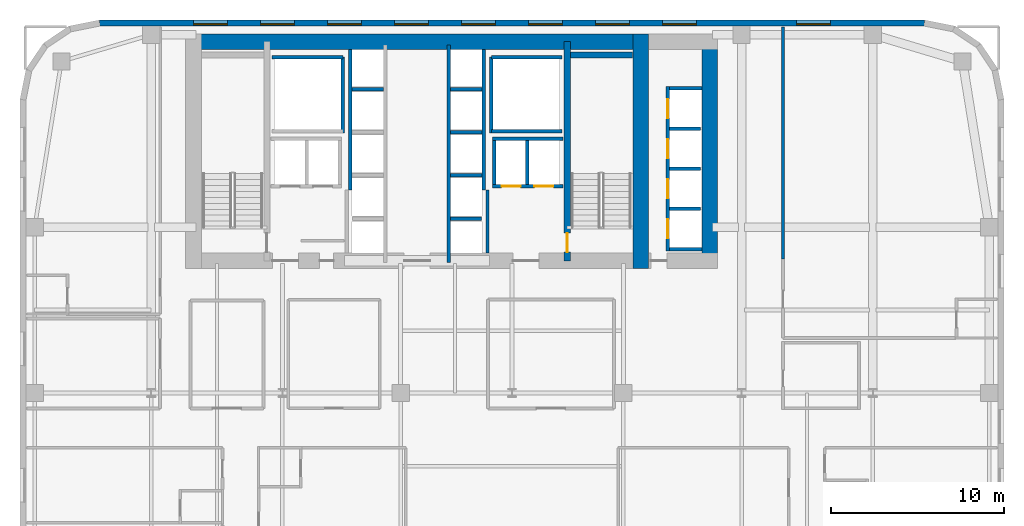
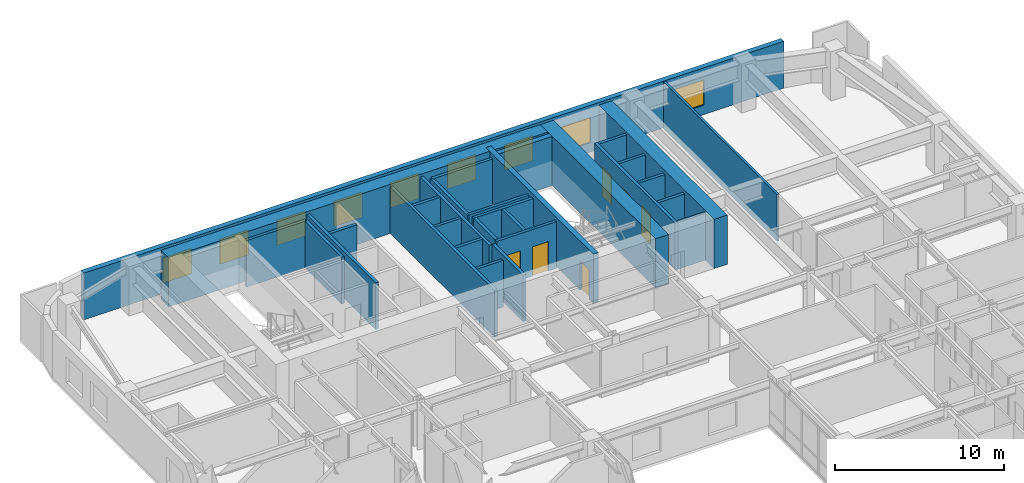
# One storey, part 15 of 17: 31 walls, 9 windows, 7 doors, 16 openings.
"""IFC4 building model written with IfcOpenShell, lengths in metres."""

from ifc_helpers import new_model, si_unit, direction, frame, frame_2d, origin, place, context, subcontext, project, spatial, rectangle, extrude, source, transform, mapped, material, layer, layer_set, type_object, type_shapes, element, fill, save


model = new_model("IFC4")

# Units and contexts
model_context = context("Model", 3, precision=1e-05, world=origin(), true_north=direction((0.0, 1.0)))
body_context = subcontext(model_context, "Body", "Model", "MODEL_VIEW")
ifc_project = project(units=[si_unit("LENGTHUNIT", "METRE"), si_unit("AREAUNIT", "SQUARE_METRE"), si_unit("VOLUMEUNIT", "CUBIC_METRE"), si_unit("PLANEANGLEUNIT", "RADIAN"), si_unit("MASSUNIT", "GRAM", prefix="KILO")], contexts=[model_context])

# Site, building, storey
site_placement = place(None, origin())
site = spatial("IfcSite", under=ifc_project, at=site_placement, CompositionType="ELEMENT")
building_placement = place(site_placement, origin())
building = spatial("IfcBuilding", under=site, at=building_placement, Name="Tolvann Quenvar Hotel", CompositionType="ELEMENT")
storey_placement = place(building_placement, frame((0.0, 0.0, 35.550048828125)))
storey = spatial("IfcBuildingStorey", under=building, at=storey_placement, Name="L07", CompositionType="ELEMENT", Elevation=35.550048828125)

# Walls
ifc_material_1 = material(Name="Concrete S80 (80 MPa)", Category="concrete")
ifc_layer_1 = layer(ifc_material_1, 0.89990234375)
ifc_layer_set_1 = layer_set([ifc_layer_1], Name="Concrete S80 (80 MPa)")
wall_type_1 = type_object("IfcWallType", Name="WALL_CORE_900", PredefinedType="SHEAR", material=ifc_layer_set_1)
wall_1_placement = place(storey_placement, frame((9.60009765625, 44.75, 0.0), z_axis=(0.0, 0.0, 1.0), x_axis=(1.0, 0.0, 0.0)))
element("IfcWall", 1, at=wall_1_placement, inside=storey, type_object=wall_type_1, Name="Rear Core N Shear Wall (L07)", PredefinedType="SHEAR", context=body_context, shape_type="SweptSolid", body=[
    extrude(rectangle(XDim=26.7998046875, YDim=0.89990234375, at=frame_2d((13.39990234375, 0.0))), origin(), (0.0, 0.0, 1.0), 3.550048828125),
])
for number, where, z_axis, x_axis, name in (
    (2, (35.949951171875, 31.60009765625, 0.0), (0.0, 0.0, 1.0), (0.0, 1.0, 0.0), "Rear Core E Shear Wall (L07)"),
    (3, (39.949951171875, 31.60009765625, 0.0), (0.0, 0.0, 1.0), (0.0, 1.0, 0.0), "Core East Annex Shear Wall ANN-E (L07)"),
):
    element("IfcWall", number, at=place(storey_placement, frame(where, z_axis=z_axis, x_axis=x_axis)), inside=storey, type_object=wall_type_1, Name=name, PredefinedType="SHEAR", context=body_context, shape_type="SweptSolid", body=[
        extrude(rectangle(XDim=13.599853515625, YDim=0.89990234375, at=frame_2d((6.7998046875, 0.0))), origin(), (0.0, 0.0, 1.0), 3.550048828125),
    ])

# Wall, opening, door
ifc_material_2 = material(Name="Concrete S65 (65 MPa)", Category="concrete")
ifc_layer_2 = layer(ifc_material_2, 0.35009765625)
ifc_layer_set_2 = layer_set([ifc_layer_2], Name="Concrete S65 (65 MPa)")
wall_type_2 = type_object("IfcWallType", Name="WALL_CORE_INT_350", PredefinedType="SHEAR", material=ifc_layer_set_2)
wall_2_placement = place(storey_placement, frame((31.699951171875, 32.050048828125, 0.0), z_axis=(0.0, 0.0, 1.0), x_axis=(0.0, 1.0, 0.0)))
wall_2 = element("IfcWall", 4, at=wall_2_placement, inside=storey, type_object=wall_type_2, Name="Core Internal Web Shear Wall WEB-E (L07)", PredefinedType="SHEAR", context=body_context, shape_type="SweptSolid", body=[
    extrude(rectangle(XDim=12.699951171875, YDim=0.35009765625, at=frame_2d((6.35009765625, 0.0))), origin(), (0.0, 0.0, 1.0), 3.550048828125),
])
opening_1_placement = place(wall_2_placement, frame((1.60009765625, 0.0, 0.0), z_axis=(0.0, 0.0, 1.0), x_axis=(-1.0, 0.0, 0.0)))
opening_1 = element("IfcOpeningElement", 5, at=opening_1_placement, cuts=wall_2, Name="Opening FD-120", PredefinedType="OPENING", context=body_context, shape_type="SweptSolid", body=[
    extrude(rectangle(XDim=1.10009765625, YDim=2.1201171875, at=frame_2d((0.550048828125, 1.06005859375))), frame((0.0, 0.18505859375, 0.0), z_axis=(0.0, -1.0, 0.0), x_axis=(1.0, 0.0, 0.0)), (0.0, 0.0, 1.0), 0.3701171875),
])
ifc_material_3 = material(Name="Pressed galvanised steel fire-rated door set", Category="steel")
door_type_1 = type_object("IfcDoorType", Name="DOOR_FIRE_STAIR_1100", OperationType="NOTDEFINED", PredefinedType="DOOR", material=ifc_material_3)
shared_shape_1 = source(origin(), body_context, "Body", "SweptSolid", [
    extrude(rectangle(XDim=1.10009765625, YDim=2.1201171875, at=frame_2d((0.550048828125, 1.06005859375))), frame((0.0, 0.02490234375, 0.0), z_axis=(0.0, -1.0, 0.0), x_axis=(1.0, 0.0, 0.0)), (0.0, 0.0, 1.0), 0.050048828125),
])
type_shapes(door_type_1, [shared_shape_1])
door_1_placement = place(opening_1_placement, origin())
door_1 = element("IfcDoor", 6, at=door_1_placement, inside=storey, type_object=door_type_1, Name="Exit Stair ST-C2 Fire Door (L07)", OperationType="SINGLE_SWING_RIGHT", OverallHeight=2.1201171875, OverallWidth=1.10009765625, PredefinedType="DOOR", context=body_context, shape_type="MappedRepresentation", body=[
    mapped(shared_shape_1, transform((0.0, 0.0, 0.0), x_axis=(1.0, 0.0, 0.0), y_axis=(0.0, 1.0, 0.0), z_axis=(0.0, 0.0, 1.0), scale=1.0)),
])
fill(opening_1, door_1)

# Wall
wall_3_placement = place(storey_placement, frame((31.8798828125, 43.97509765625, 0.0), z_axis=(0.0, 0.0, 1.0), x_axis=(1.0, 0.0, 0.0)))
element("IfcWall", 7, at=wall_3_placement, inside=storey, type_object=wall_type_2, Name="Core Stair North Closing Shear Wall STC2-N (L07)", PredefinedType="SHEAR", context=body_context, shape_type="SweptSolid", body=[
    extrude(rectangle(XDim=3.60009765625, YDim=0.35009765625, at=frame_2d((1.800048828125, 0.0))), origin(), (0.0, 0.0, 1.0), 3.550048828125),
])

# Wall, openings, windows
ifc_material_4 = material(Name="Kiln-fired red and buff architectural clay brickwork and terracotta masonry", Category="masonry")
ifc_layer_3 = layer(ifc_material_4, 0.35009765625)
ifc_layer_set_3 = layer_set([ifc_layer_3], Name="Kiln-fired red and buff architectural clay brickwork and terracotta masonry")
wall_type_3 = type_object("IfcWallType", Name="WALL_EXT_BRICK_350", PredefinedType="SOLIDWALL", material=ifc_layer_set_3)
wall_4_placement = place(storey_placement, frame((52.3828125, 45.824951171875, 0.0), z_axis=(0.0, 0.0, 1.0), x_axis=(-1.0, 0.0, 0.0)))
wall_4 = element("IfcWall", 8, at=wall_4_placement, inside=storey, type_object=wall_type_3, Name="Exterior Chicago Brick Wall L07-E18", PredefinedType="SOLIDWALL", context=body_context, shape_type="SweptSolid", body=[
    extrude(rectangle(XDim=47.765625, YDim=0.35009765625, at=frame_2d((23.8828125, 0.0))), origin(), (0.0, 0.0, 1.0), 3.369873046875),
])
opening_2_placement = place(wall_4_placement, frame((5.446044921875, 0.0, 0.679931640625)))
opening_2 = element("IfcOpeningElement", 9, at=opening_2_placement, cuts=wall_4, Name="Opening W-10", PredefinedType="OPENING", context=body_context, shape_type="SweptSolid", body=[
    extrude(rectangle(XDim=1.949951171875, YDim=1.820068359375, at=frame_2d((0.97509765625, 0.91015625))), frame((0.0, 0.18505859375, 0.0), z_axis=(0.0, -1.0, 0.0), x_axis=(1.0, 0.0, 0.0)), (0.0, 0.0, 1.0), 0.3701171875),
])
opening_3_placement = place(wall_4_placement, frame((13.20703125, 0.0, 0.679931640625)))
opening_3 = element("IfcOpeningElement", 10, at=opening_3_placement, cuts=wall_4, Name="Opening W-10", PredefinedType="OPENING", context=body_context, shape_type="SweptSolid", body=[
    extrude(rectangle(XDim=1.949951171875, YDim=1.820068359375, at=frame_2d((0.97509765625, 0.91015625))), frame((0.0, 0.18505859375, 0.0), z_axis=(0.0, -1.0, 0.0), x_axis=(1.0, 0.0, 0.0)), (0.0, 0.0, 1.0), 0.3701171875),
])
opening_4_placement = place(wall_4_placement, frame((17.0869140625, 0.0, 0.679931640625)))
opening_4 = element("IfcOpeningElement", 11, at=opening_4_placement, cuts=wall_4, Name="Opening W-10", PredefinedType="OPENING", context=body_context, shape_type="SweptSolid", body=[
    extrude(rectangle(XDim=1.949951171875, YDim=1.820068359375, at=frame_2d((0.97509765625, 0.91015625))), frame((0.0, 0.18505859375, 0.0), z_axis=(0.0, -1.0, 0.0), x_axis=(1.0, 0.0, 0.0)), (0.0, 0.0, 1.0), 0.3701171875),
])
opening_5_placement = place(wall_4_placement, frame((20.968017578125, 0.0, 0.679931640625)))
opening_5 = element("IfcOpeningElement", 12, at=opening_5_placement, cuts=wall_4, Name="Opening W-10", PredefinedType="OPENING", context=body_context, shape_type="SweptSolid", body=[
    extrude(rectangle(XDim=1.949951171875, YDim=1.820068359375, at=frame_2d((0.97509765625, 0.91015625))), frame((0.0, 0.18505859375, 0.0), z_axis=(0.0, -1.0, 0.0), x_axis=(1.0, 0.0, 0.0)), (0.0, 0.0, 1.0), 0.3701171875),
])
opening_6_placement = place(wall_4_placement, frame((24.847900390625, 0.0, 0.679931640625)))
opening_6 = element("IfcOpeningElement", 13, at=opening_6_placement, cuts=wall_4, Name="Opening W-10", PredefinedType="OPENING", context=body_context, shape_type="SweptSolid", body=[
    extrude(rectangle(XDim=1.949951171875, YDim=1.820068359375, at=frame_2d((0.97509765625, 0.91015625))), frame((0.0, 0.18505859375, 0.0), z_axis=(0.0, -1.0, 0.0), x_axis=(1.0, 0.0, 0.0)), (0.0, 0.0, 1.0), 0.3701171875),
])
opening_7_placement = place(wall_4_placement, frame((28.72900390625, 0.0, 0.679931640625)))
opening_7 = element("IfcOpeningElement", 14, at=opening_7_placement, cuts=wall_4, Name="Opening W-10", PredefinedType="OPENING", context=body_context, shape_type="SweptSolid", body=[
    extrude(rectangle(XDim=1.949951171875, YDim=1.820068359375, at=frame_2d((0.97509765625, 0.91015625))), frame((0.0, 0.18505859375, 0.0), z_axis=(0.0, -1.0, 0.0), x_axis=(1.0, 0.0, 0.0)), (0.0, 0.0, 1.0), 0.3701171875),
])
opening_8_placement = place(wall_4_placement, frame((32.60888671875, 0.0, 0.679931640625)))
opening_8 = element("IfcOpeningElement", 15, at=opening_8_placement, cuts=wall_4, Name="Opening W-10", PredefinedType="OPENING", context=body_context, shape_type="SweptSolid", body=[
    extrude(rectangle(XDim=1.949951171875, YDim=1.820068359375, at=frame_2d((0.97509765625, 0.91015625))), frame((0.0, 0.18505859375, 0.0), z_axis=(0.0, -1.0, 0.0), x_axis=(1.0, 0.0, 0.0)), (0.0, 0.0, 1.0), 0.3701171875),
])
opening_9_placement = place(wall_4_placement, frame((36.489013671875, 0.0, 0.679931640625)))
opening_9 = element("IfcOpeningElement", 16, at=opening_9_placement, cuts=wall_4, Name="Opening W-10", PredefinedType="OPENING", context=body_context, shape_type="SweptSolid", body=[
    extrude(rectangle(XDim=1.949951171875, YDim=1.820068359375, at=frame_2d((0.97509765625, 0.91015625))), frame((0.0, 0.18505859375, 0.0), z_axis=(0.0, -1.0, 0.0), x_axis=(1.0, 0.0, 0.0)), (0.0, 0.0, 1.0), 0.3701171875),
])
opening_10_placement = place(wall_4_placement, frame((40.3701171875, 0.0, 0.679931640625)))
opening_10 = element("IfcOpeningElement", 17, at=opening_10_placement, cuts=wall_4, Name="Opening W-10", PredefinedType="OPENING", context=body_context, shape_type="SweptSolid", body=[
    extrude(rectangle(XDim=1.949951171875, YDim=1.820068359375, at=frame_2d((0.97509765625, 0.91015625))), frame((0.0, 0.18505859375, 0.0), z_axis=(0.0, -1.0, 0.0), x_axis=(1.0, 0.0, 0.0)), (0.0, 0.0, 1.0), 0.3701171875),
])
ifc_material_5 = material(Name="Thermally broken bronze-anodised aluminium frame with double low-E glazing", Category="aluminium")
window_type = type_object("IfcWindowType", Name="WIN_CLB_1950x1850", PartitioningType="DOUBLE_PANEL_VERTICAL", PredefinedType="WINDOW", material=ifc_material_5)
shared_shape_2 = source(origin(), body_context, "Body", "SweptSolid", [
    extrude(rectangle(XDim=1.949951171875, YDim=1.820068359375, at=frame_2d((0.97509765625, 0.91015625))), frame((0.0, 0.090087890625, 0.0), z_axis=(0.0, -1.0, 0.0), x_axis=(1.0, 0.0, 0.0)), (0.0, 0.0, 1.0), 0.06005859375),
])
type_shapes(window_type, [shared_shape_2])
window_1_placement = place(opening_2_placement, origin())
window_1 = element("IfcWindow", 18, at=window_1_placement, inside=storey, type_object=window_type, Name="Chicago Window W-10 (EW-L07-E18-W01)", OverallHeight=1.820068359375, OverallWidth=1.949951171875, PartitioningType="DOUBLE_PANEL_VERTICAL", PredefinedType="WINDOW", context=body_context, shape_type="MappedRepresentation", body=[
    mapped(shared_shape_2, transform((0.0, 0.0, 0.0), x_axis=(1.0, 0.0, 0.0), y_axis=(0.0, 1.0, 0.0), z_axis=(0.0, 0.0, 1.0), scale=1.0)),
])
fill(opening_2, window_1)
window_2_placement = place(opening_3_placement, origin())
window_2 = element("IfcWindow", 19, at=window_2_placement, inside=storey, type_object=window_type, Name="Chicago Window W-10 (EW-L07-E18-W02)", OverallHeight=1.820068359375, OverallWidth=1.949951171875, PartitioningType="DOUBLE_PANEL_VERTICAL", PredefinedType="WINDOW", context=body_context, shape_type="MappedRepresentation", body=[
    mapped(shared_shape_2, transform((0.0, 0.0, 0.0), x_axis=(1.0, 0.0, 0.0), y_axis=(0.0, 1.0, 0.0), z_axis=(0.0, 0.0, 1.0), scale=1.0)),
])
fill(opening_3, window_2)
window_3_placement = place(opening_4_placement, origin())
window_3 = element("IfcWindow", 20, at=window_3_placement, inside=storey, type_object=window_type, Name="Chicago Window W-10 (EW-L07-E18-W03)", OverallHeight=1.820068359375, OverallWidth=1.949951171875, PartitioningType="DOUBLE_PANEL_VERTICAL", PredefinedType="WINDOW", context=body_context, shape_type="MappedRepresentation", body=[
    mapped(shared_shape_2, transform((0.0, 0.0, 0.0), x_axis=(1.0, 0.0, 0.0), y_axis=(0.0, 1.0, 0.0), z_axis=(0.0, 0.0, 1.0), scale=1.0)),
])
fill(opening_4, window_3)
window_4_placement = place(opening_5_placement, origin())
window_4 = element("IfcWindow", 21, at=window_4_placement, inside=storey, type_object=window_type, Name="Chicago Window W-10 (EW-L07-E18-W04)", OverallHeight=1.820068359375, OverallWidth=1.949951171875, PartitioningType="DOUBLE_PANEL_VERTICAL", PredefinedType="WINDOW", context=body_context, shape_type="MappedRepresentation", body=[
    mapped(shared_shape_2, transform((0.0, 0.0, 0.0), x_axis=(1.0, 0.0, 0.0), y_axis=(0.0, 1.0, 0.0), z_axis=(0.0, 0.0, 1.0), scale=1.0)),
])
fill(opening_5, window_4)
window_5_placement = place(opening_6_placement, origin())
window_5 = element("IfcWindow", 22, at=window_5_placement, inside=storey, type_object=window_type, Name="Chicago Window W-10 (EW-L07-E18-W05)", OverallHeight=1.820068359375, OverallWidth=1.949951171875, PartitioningType="DOUBLE_PANEL_VERTICAL", PredefinedType="WINDOW", context=body_context, shape_type="MappedRepresentation", body=[
    mapped(shared_shape_2, transform((0.0, 0.0, 0.0), x_axis=(1.0, 0.0, 0.0), y_axis=(0.0, 1.0, 0.0), z_axis=(0.0, 0.0, 1.0), scale=1.0)),
])
fill(opening_6, window_5)
window_6_placement = place(opening_7_placement, origin())
window_6 = element("IfcWindow", 23, at=window_6_placement, inside=storey, type_object=window_type, Name="Chicago Window W-10 (EW-L07-E18-W06)", OverallHeight=1.820068359375, OverallWidth=1.949951171875, PartitioningType="DOUBLE_PANEL_VERTICAL", PredefinedType="WINDOW", context=body_context, shape_type="MappedRepresentation", body=[
    mapped(shared_shape_2, transform((0.0, 0.0, 0.0), x_axis=(1.0, 0.0, 0.0), y_axis=(0.0, 1.0, 0.0), z_axis=(0.0, 0.0, 1.0), scale=1.0)),
])
fill(opening_7, window_6)
window_7_placement = place(opening_8_placement, origin())
window_7 = element("IfcWindow", 24, at=window_7_placement, inside=storey, type_object=window_type, Name="Chicago Window W-10 (EW-L07-E18-W07)", OverallHeight=1.820068359375, OverallWidth=1.949951171875, PartitioningType="DOUBLE_PANEL_VERTICAL", PredefinedType="WINDOW", context=body_context, shape_type="MappedRepresentation", body=[
    mapped(shared_shape_2, transform((0.0, 0.0, 0.0), x_axis=(1.0, 0.0, 0.0), y_axis=(0.0, 1.0, 0.0), z_axis=(0.0, 0.0, 1.0), scale=1.0)),
])
fill(opening_8, window_7)
window_8_placement = place(opening_9_placement, origin())
window_8 = element("IfcWindow", 25, at=window_8_placement, inside=storey, type_object=window_type, Name="Chicago Window W-10 (EW-L07-E18-W08)", OverallHeight=1.820068359375, OverallWidth=1.949951171875, PartitioningType="DOUBLE_PANEL_VERTICAL", PredefinedType="WINDOW", context=body_context, shape_type="MappedRepresentation", body=[
    mapped(shared_shape_2, transform((0.0, 0.0, 0.0), x_axis=(1.0, 0.0, 0.0), y_axis=(0.0, 1.0, 0.0), z_axis=(0.0, 0.0, 1.0), scale=1.0)),
])
fill(opening_9, window_8)
window_9_placement = place(opening_10_placement, origin())
window_9 = element("IfcWindow", 26, at=window_9_placement, inside=storey, type_object=window_type, Name="Chicago Window W-10 (EW-L07-E18-W09)", OverallHeight=1.820068359375, OverallWidth=1.949951171875, PartitioningType="DOUBLE_PANEL_VERTICAL", PredefinedType="WINDOW", context=body_context, shape_type="MappedRepresentation", body=[
    mapped(shared_shape_2, transform((0.0, 0.0, 0.0), x_axis=(1.0, 0.0, 0.0), y_axis=(0.0, 1.0, 0.0), z_axis=(0.0, 0.0, 1.0), scale=1.0)),
])
fill(opening_10, window_9)

# Walls
ifc_material_6 = material(Name="Acoustic twin-stud fire-rated gypsum plasterboard partition")
ifc_layer_4 = layer(ifc_material_6, 0.14990234375)
ifc_layer_set_4 = layer_set([ifc_layer_4], Name="Acoustic twin-stud fire-rated gypsum plasterboard partition")
wall_type_4 = type_object("IfcWallType", Name="WALL_PART_SUITE_150", PredefinedType="PARTITIONING", material=ifc_layer_set_4)
wall_5_placement = place(storey_placement, frame((44.199951171875, 32.169921875, 0.0), z_axis=(0.0, 0.0, 1.0), x_axis=(0.0, 1.0, 0.0)))
element("IfcWall", 27, at=wall_5_placement, inside=storey, type_object=wall_type_4, Name="Interior Partition PT-SPC-L07-RM-NE01-E6", PredefinedType="PARTITIONING", context=body_context, shape_type="SweptSolid", body=[
    extrude(rectangle(XDim=13.425048828125, YDim=0.14990234375, at=frame_2d((6.71240234375, 0.0))), origin(), (0.0, 0.0, 1.0), 3.369873046875),
])
ifc_material_7 = material(Name="Concrete N40 (40 MPa)", Category="concrete")
ifc_layer_5 = layer(ifc_material_7, 0.199951171875)
ifc_layer_set_5 = layer_set([ifc_layer_5], Name="Concrete N40 (40 MPa)")
wall_type_5 = type_object("IfcWallType", Name="WALL_SHAFT_200", PredefinedType="SOLIDWALL", material=ifc_layer_set_5)
wall_6_placement = place(storey_placement, frame((18.699951171875, 39.449951171875, 0.0), z_axis=(0.0, 0.0, 1.0), x_axis=(0.0, 1.0, 0.0)))
element("IfcWall", 28, at=wall_6_placement, inside=storey, type_object=wall_type_5, Name="Service Riser W Shaft Wall IN (L07)", PredefinedType="SOLIDWALL", context=body_context, shape_type="SweptSolid", body=[
    extrude(rectangle(XDim=4.400146484375, YDim=0.199951171875, at=frame_2d((2.2001953125, 0.0))), origin(), (0.0, 0.0, 1.0), 3.369873046875),
])
wall_7_placement = place(storey_placement, frame((14.60009765625, 43.85009765625, 0.0), z_axis=(0.0, 0.0, 1.0), x_axis=(1.0, 0.0, 0.0)))
element("IfcWall", 29, at=wall_7_placement, inside=storey, type_object=wall_type_5, Name="Service Riser W Shaft Wall N (L07)", PredefinedType="SOLIDWALL", context=body_context, shape_type="SweptSolid", body=[
    extrude(rectangle(XDim=4.099853515625, YDim=0.199951171875, at=frame_2d((2.0498046875, 0.0))), origin(), (0.0, 0.0, 1.0), 3.369873046875),
])
wall_8_placement = place(storey_placement, frame((27.300048828125, 39.449951171875, 0.0), z_axis=(0.0, 0.0, 1.0), x_axis=(0.0, 1.0, 0.0)))
element("IfcWall", 30, at=wall_8_placement, inside=storey, type_object=wall_type_5, Name="Service Riser E Shaft Wall IN (L07)", PredefinedType="SOLIDWALL", context=body_context, shape_type="SweptSolid", body=[
    extrude(rectangle(XDim=4.400146484375, YDim=0.199951171875, at=frame_2d((2.2001953125, 0.0))), origin(), (0.0, 0.0, 1.0), 3.369873046875),
])
for number, where, z_axis, x_axis, name in (
    (31, (27.300048828125, 39.550048828125, 0.0), (0.0, 0.0, 1.0), (1.0, 0.0, 0.0), "Service Riser E Shaft Wall S (L07)"),
    (32, (27.300048828125, 43.85009765625, 0.0), (0.0, 0.0, 1.0), (1.0, 0.0, 0.0), "Service Riser E Shaft Wall N (L07)"),
):
    element("IfcWall", number, at=place(storey_placement, frame(where, z_axis=z_axis, x_axis=x_axis)), inside=storey, type_object=wall_type_5, Name=name, PredefinedType="SOLIDWALL", context=body_context, shape_type="SweptSolid", body=[
        extrude(rectangle(XDim=4.099853515625, YDim=0.199951171875, at=frame_2d((2.0498046875, 0.0))), origin(), (0.0, 0.0, 1.0), 3.369873046875),
    ])
wall_9_placement = place(storey_placement, frame((27.080078125, 32.50390625, 0.0), z_axis=(0.0, 0.0, 1.0), x_axis=(0.0, 1.0, 0.0)))
element("IfcWall", 33, at=wall_9_placement, inside=storey, type_object=wall_type_5, Name="Firefighting Lobby E Inner Fire Wall (L07)", PredefinedType="SOLIDWALL", context=body_context, shape_type="SweptSolid", body=[
    extrude(rectangle(XDim=3.64599609375, YDim=0.199951171875, at=frame_2d((1.822998046875, 0.0))), origin(), (0.0, 0.0, 1.0), 3.369873046875),
])
wall_10_placement = place(storey_placement, frame((19.1298828125, 36.159912109375, 0.0), z_axis=(0.0, 0.0, 1.0), x_axis=(0.0, 1.0, 0.0)))
element("IfcWall", 34, at=wall_10_placement, inside=storey, type_object=wall_type_5, Name="Lift Bank E21.1C1 Hoistway Rear Wall (L07)", PredefinedType="SOLIDWALL", context=body_context, shape_type="SweptSolid", body=[
    extrude(rectangle(XDim=8.135986328125, YDim=0.199951171875, at=frame_2d((4.06787109375, 0.0))), origin(), (0.0, 0.0, 1.0), 3.369873046875),
])
wall_11_placement = place(storey_placement, frame((19.22998046875, 42.0, 0.0), z_axis=(0.0, 0.0, 1.0), x_axis=(1.0, 0.0, 0.0)))
element("IfcWall", 35, at=wall_11_placement, inside=storey, type_object=wall_type_5, Name="Lift Bank E21.1C1 Divider Wall 4 (L07)", PredefinedType="SOLIDWALL", context=body_context, shape_type="SweptSolid", body=[
    extrude(rectangle(XDim=1.840087890625, YDim=0.199951171875, at=frame_2d((0.919921875, 0.0))), origin(), (0.0, 0.0, 1.0), 3.369873046875),
])

# Wall, openings, doors
wall_12_placement = place(storey_placement, frame((27.375, 36.3798828125, 0.0), z_axis=(0.0, 0.0, 1.0), x_axis=(1.0, 0.0, 0.0)))
wall_12 = element("IfcWall", 36, at=wall_12_placement, inside=storey, type_object=wall_type_5, Name="Lift Bank SEC1 Hoistway Front Wall (L07)", PredefinedType="SOLIDWALL", context=body_context, shape_type="SweptSolid", body=[
    extrude(rectangle(XDim=4.074951171875, YDim=0.199951171875, at=frame_2d((2.03759765625, 0.0))), origin(), (0.0, 0.0, 1.0), 3.369873046875),
])
opening_11_placement = place(wall_12_placement, frame((0.52490234375, 0.0, 0.0)))
opening_11 = element("IfcOpeningElement", 37, at=opening_11_placement, cuts=wall_12, Name="Opening LD-01", PredefinedType="OPENING", context=body_context, shape_type="SweptSolid", body=[
    extrude(rectangle(XDim=1.10009765625, YDim=2.1201171875, at=frame_2d((0.550048828125, 1.06005859375))), frame((0.0, 0.10986328125, 0.0), z_axis=(0.0, -1.0, 0.0), x_axis=(1.0, 0.0, 0.0)), (0.0, 0.0, 1.0), 0.219970703125),
])
opening_12_placement = place(wall_12_placement, frame((2.425048828125, 0.0, 0.0)))
opening_12 = element("IfcOpeningElement", 38, at=opening_12_placement, cuts=wall_12, Name="Opening LD-01", PredefinedType="OPENING", context=body_context, shape_type="SweptSolid", body=[
    extrude(rectangle(XDim=1.10009765625, YDim=2.1201171875, at=frame_2d((0.550048828125, 1.06005859375))), frame((0.0, 0.10986328125, 0.0), z_axis=(0.0, -1.0, 0.0), x_axis=(1.0, 0.0, 0.0)), (0.0, 0.0, 1.0), 0.219970703125),
])
ifc_material_8 = material(Name="Brushed 316 stainless steel automatic sliding lift landing door", Category="steel")
door_type_2 = type_object("IfcDoorType", Name="DOOR_LIFT_SLIDE_1100", OperationType="NOTDEFINED", PredefinedType="DOOR", material=ifc_material_8)
shared_shape_3 = source(origin(), body_context, "Body", "SweptSolid", [
    extrude(rectangle(XDim=1.10009765625, YDim=2.1201171875, at=frame_2d((0.550048828125, 1.06005859375))), frame((0.0, 0.02490234375, 0.0), z_axis=(0.0, -1.0, 0.0), x_axis=(1.0, 0.0, 0.0)), (0.0, 0.0, 1.0), 0.050048828125),
])
type_shapes(door_type_2, [shared_shape_3])
door_2_placement = place(opening_11_placement, origin())
door_2 = element("IfcDoor", 39, at=door_2_placement, inside=storey, type_object=door_type_2, Name="Lift SV-2 Sliding Landing Door (L07)", OperationType="SLIDING_TO_LEFT", OverallHeight=2.1201171875, OverallWidth=1.10009765625, PredefinedType="DOOR", context=body_context, shape_type="MappedRepresentation", body=[
    mapped(shared_shape_3, transform((0.0, 0.0, 0.0), x_axis=(1.0, 0.0, 0.0), y_axis=(0.0, 1.0, 0.0), z_axis=(0.0, 0.0, 1.0), scale=1.0)),
])
fill(opening_11, door_2)
door_3_placement = place(opening_12_placement, origin())
door_3 = element("IfcDoor", 40, at=door_3_placement, inside=storey, type_object=door_type_2, Name="Lift FF-2 Sliding Landing Door (L07)", OperationType="SLIDING_TO_RIGHT", OverallHeight=2.1201171875, OverallWidth=1.10009765625, PredefinedType="DOOR", context=body_context, shape_type="MappedRepresentation", body=[
    mapped(shared_shape_3, transform((0.0, 0.0, 0.0), x_axis=(1.0, 0.0, 0.0), y_axis=(0.0, 1.0, 0.0), z_axis=(0.0, 0.0, 1.0), scale=1.0)),
])
fill(opening_12, door_3)

# Walls
wall_13_placement = place(storey_placement, frame((27.375, 39.1201171875, 0.0), z_axis=(0.0, 0.0, 1.0), x_axis=(1.0, 0.0, 0.0)))
element("IfcWall", 41, at=wall_13_placement, inside=storey, type_object=wall_type_5, Name="Lift Bank SEC1 Hoistway Rear Wall (L07)", PredefinedType="SOLIDWALL", context=body_context, shape_type="SweptSolid", body=[
    extrude(rectangle(XDim=4.074951171875, YDim=0.199951171875, at=frame_2d((2.03759765625, 0.0))), origin(), (0.0, 0.0, 1.0), 3.369873046875),
])
for number, where, z_axis, x_axis, name in (
    (42, (27.47509765625, 36.47998046875, 0.0), (0.0, 0.0, 1.0), (0.0, 1.0, 0.0), "Lift Bank SEC1 Hoistway Cheek Wall 1 (L07)"),
    (43, (29.387451171875, 36.47998046875, 0.0), (0.0, 0.0, 1.0), (0.0, 1.0, 0.0), "Lift Bank SEC1 Divider Wall 1 (L07)"),
):
    element("IfcWall", number, at=place(storey_placement, frame(where, z_axis=z_axis, x_axis=x_axis)), inside=storey, type_object=wall_type_5, Name=name, PredefinedType="SOLIDWALL", context=body_context, shape_type="SweptSolid", body=[
        extrude(rectangle(XDim=2.5400390625, YDim=0.199951171875, at=frame_2d((1.27001953125, 0.0))), origin(), (0.0, 0.0, 1.0), 3.369873046875),
    ])
wall_14_placement = place(storey_placement, frame((24.830078125, 31.9599609375, 0.0), z_axis=(0.0, 0.0, 1.0), x_axis=(0.0, 1.0, 0.0)))
element("IfcWall", 44, at=wall_14_placement, inside=storey, type_object=wall_type_5, Name="Lift Bank W24.9C1 Hoistway Front Wall (L07)", PredefinedType="SOLIDWALL", context=body_context, shape_type="SweptSolid", body=[
    extrude(rectangle(XDim=12.580078125, YDim=0.199951171875, at=frame_2d((6.2900390625, 0.0))), origin(), (0.0, 0.0, 1.0), 3.369873046875),
])
wall_15_placement = place(storey_placement, frame((26.8701171875, 36.159912109375, 0.0), z_axis=(0.0, 0.0, 1.0), x_axis=(0.0, 1.0, 0.0)))
element("IfcWall", 45, at=wall_15_placement, inside=storey, type_object=wall_type_5, Name="Lift Bank W24.9C1 Hoistway Rear Wall (L07)", PredefinedType="SOLIDWALL", context=body_context, shape_type="SweptSolid", body=[
    extrude(rectangle(XDim=8.135986328125, YDim=0.199951171875, at=frame_2d((4.06787109375, 0.0))), origin(), (0.0, 0.0, 1.0), 3.369873046875),
])
wall_16_placement = place(storey_placement, frame((24.929931640625, 34.5, 0.0), z_axis=(0.0, 0.0, 1.0), x_axis=(1.0, 0.0, 0.0)))
element("IfcWall", 46, at=wall_16_placement, inside=storey, type_object=wall_type_5, Name="Lift Bank W24.9C1 Divider Wall 1 (L07)", PredefinedType="SOLIDWALL", context=body_context, shape_type="SweptSolid", body=[
    extrude(rectangle(XDim=1.800048828125, YDim=0.199951171875, at=frame_2d((0.89990234375, 0.0))), origin(), (0.0, 0.0, 1.0), 3.369873046875),
])
for number, where, z_axis, x_axis, name in (
    (47, (24.929931640625, 37.0, 0.0), (0.0, 0.0, 1.0), (1.0, 0.0, 0.0), "Lift Bank W24.9C1 Divider Wall 2 (L07)"),
    (48, (24.929931640625, 39.5, 0.0), (0.0, 0.0, 1.0), (1.0, 0.0, 0.0), "Lift Bank W24.9C1 Divider Wall 3 (L07)"),
    (49, (24.929931640625, 42.0, 0.0), (0.0, 0.0, 1.0), (1.0, 0.0, 0.0), "Lift Bank W24.9C1 Divider Wall 4 (L07)"),
):
    element("IfcWall", number, at=place(storey_placement, frame(where, z_axis=z_axis, x_axis=x_axis)), inside=storey, type_object=wall_type_5, Name=name, PredefinedType="SOLIDWALL", context=body_context, shape_type="SweptSolid", body=[
        extrude(rectangle(XDim=1.840087890625, YDim=0.199951171875, at=frame_2d((0.919921875, 0.0))), origin(), (0.0, 0.0, 1.0), 3.369873046875),
    ])

# Wall, openings, doors
wall_17_placement = place(storey_placement, frame((37.530029296875, 32.610107421875, 0.0), z_axis=(0.0, 0.0, 1.0), x_axis=(0.0, 1.0, 0.0)))
wall_17 = element("IfcWall", 50, at=wall_17_placement, inside=storey, type_object=wall_type_5, Name="Lift Bank W37.6C1 Hoistway Front Wall (L07)", PredefinedType="SOLIDWALL", context=body_context, shape_type="SweptSolid", body=[
    extrude(rectangle(XDim=9.539794921875, YDim=0.199951171875, at=frame_2d((4.77001953125, 0.0))), origin(), (0.0, 0.0, 1.0), 3.369873046875),
])
opening_13_placement = place(wall_17_placement, frame((0.739990234375, 0.0, 0.0)))
opening_13 = element("IfcOpeningElement", 51, at=opening_13_placement, cuts=wall_17, Name="Opening LD-01", PredefinedType="OPENING", context=body_context, shape_type="SweptSolid", body=[
    extrude(rectangle(XDim=1.10009765625, YDim=2.1201171875, at=frame_2d((0.550048828125, 1.06005859375))), frame((0.0, 0.10986328125, 0.0), z_axis=(0.0, -1.0, 0.0), x_axis=(1.0, 0.0, 0.0)), (0.0, 0.0, 1.0), 0.219970703125),
])
opening_14_placement = place(wall_17_placement, frame((3.06005859375, 0.0, 0.0)))
opening_14 = element("IfcOpeningElement", 52, at=opening_14_placement, cuts=wall_17, Name="Opening LD-01", PredefinedType="OPENING", context=body_context, shape_type="SweptSolid", body=[
    extrude(rectangle(XDim=1.10009765625, YDim=2.1201171875, at=frame_2d((0.550048828125, 1.06005859375))), frame((0.0, 0.10986328125, 0.0), z_axis=(0.0, -1.0, 0.0), x_axis=(1.0, 0.0, 0.0)), (0.0, 0.0, 1.0), 0.219970703125),
])
opening_15_placement = place(wall_17_placement, frame((5.3798828125, 0.0, 0.0)))
opening_15 = element("IfcOpeningElement", 53, at=opening_15_placement, cuts=wall_17, Name="Opening LD-01", PredefinedType="OPENING", context=body_context, shape_type="SweptSolid", body=[
    extrude(rectangle(XDim=1.10009765625, YDim=2.1201171875, at=frame_2d((0.550048828125, 1.06005859375))), frame((0.0, 0.10986328125, 0.0), z_axis=(0.0, -1.0, 0.0), x_axis=(1.0, 0.0, 0.0)), (0.0, 0.0, 1.0), 0.219970703125),
])
opening_16_placement = place(wall_17_placement, frame((7.699951171875, 0.0, 0.0)))
opening_16 = element("IfcOpeningElement", 54, at=opening_16_placement, cuts=wall_17, Name="Opening LD-01", PredefinedType="OPENING", context=body_context, shape_type="SweptSolid", body=[
    extrude(rectangle(XDim=1.10009765625, YDim=2.1201171875, at=frame_2d((0.550048828125, 1.06005859375))), frame((0.0, 0.10986328125, 0.0), z_axis=(0.0, -1.0, 0.0), x_axis=(1.0, 0.0, 0.0)), (0.0, 0.0, 1.0), 0.219970703125),
])
door_4_placement = place(opening_13_placement, origin())
door_4 = element("IfcDoor", 55, at=door_4_placement, inside=storey, type_object=door_type_2, Name="Lift PL-1 Sliding Landing Door (L07)", OperationType="SLIDING_TO_LEFT", OverallHeight=2.1201171875, OverallWidth=1.10009765625, PredefinedType="DOOR", context=body_context, shape_type="MappedRepresentation", body=[
    mapped(shared_shape_3, transform((0.0, 0.0, 0.0), x_axis=(1.0, 0.0, 0.0), y_axis=(0.0, 1.0, 0.0), z_axis=(0.0, 0.0, 1.0), scale=1.0)),
])
fill(opening_13, door_4)
door_5_placement = place(opening_14_placement, origin())
door_5 = element("IfcDoor", 56, at=door_5_placement, inside=storey, type_object=door_type_2, Name="Lift PL-2 Sliding Landing Door (L07)", OperationType="SLIDING_TO_RIGHT", OverallHeight=2.1201171875, OverallWidth=1.10009765625, PredefinedType="DOOR", context=body_context, shape_type="MappedRepresentation", body=[
    mapped(shared_shape_3, transform((0.0, 0.0, 0.0), x_axis=(1.0, 0.0, 0.0), y_axis=(0.0, 1.0, 0.0), z_axis=(0.0, 0.0, 1.0), scale=1.0)),
])
fill(opening_14, door_5)
door_6_placement = place(opening_15_placement, origin())
door_6 = element("IfcDoor", 57, at=door_6_placement, inside=storey, type_object=door_type_2, Name="Lift PL-3 Sliding Landing Door (L07)", OperationType="SLIDING_TO_LEFT", OverallHeight=2.1201171875, OverallWidth=1.10009765625, PredefinedType="DOOR", context=body_context, shape_type="MappedRepresentation", body=[
    mapped(shared_shape_3, transform((0.0, 0.0, 0.0), x_axis=(1.0, 0.0, 0.0), y_axis=(0.0, 1.0, 0.0), z_axis=(0.0, 0.0, 1.0), scale=1.0)),
])
fill(opening_15, door_6)
door_7_placement = place(opening_16_placement, origin())
door_7 = element("IfcDoor", 58, at=door_7_placement, inside=storey, type_object=door_type_2, Name="Lift PL-4 Sliding Landing Door (L07)", OperationType="SLIDING_TO_RIGHT", OverallHeight=2.1201171875, OverallWidth=1.10009765625, PredefinedType="DOOR", context=body_context, shape_type="MappedRepresentation", body=[
    mapped(shared_shape_3, transform((0.0, 0.0, 0.0), x_axis=(1.0, 0.0, 0.0), y_axis=(0.0, 1.0, 0.0), z_axis=(0.0, 0.0, 1.0), scale=1.0)),
])
fill(opening_16, door_7)

# Walls
for number, where, z_axis, x_axis, name in (
    (59, (37.6298828125, 32.7099609375, 0.0), (0.0, 0.0, 1.0), (1.0, 0.0, 0.0), "Lift Bank W37.6C1 Hoistway Cheek Wall 1 (L07)"),
    (60, (37.6298828125, 42.050048828125, 0.0), (0.0, 0.0, 1.0), (1.0, 0.0, 0.0), "Lift Bank W37.6C1 Hoistway Cheek Wall 2 (L07)"),
):
    element("IfcWall", number, at=place(storey_placement, frame(where, z_axis=z_axis, x_axis=x_axis)), inside=storey, type_object=wall_type_5, Name=name, PredefinedType="SOLIDWALL", context=body_context, shape_type="SweptSolid", body=[
        extrude(rectangle(XDim=1.8701171875, YDim=0.199951171875, at=frame_2d((0.93505859375, 0.0))), origin(), (0.0, 0.0, 1.0), 3.369873046875),
    ])
for number, where, z_axis, x_axis, name in (
    (61, (37.6298828125, 35.06005859375, 0.0), (0.0, 0.0, 1.0), (1.0, 0.0, 0.0), "Lift Bank W37.6C1 Divider Wall 1 (L07)"),
    (62, (37.6298828125, 37.3798828125, 0.0), (0.0, 0.0, 1.0), (1.0, 0.0, 0.0), "Lift Bank W37.6C1 Divider Wall 2 (L07)"),
    (63, (37.6298828125, 39.699951171875, 0.0), (0.0, 0.0, 1.0), (1.0, 0.0, 0.0), "Lift Bank W37.6C1 Divider Wall 3 (L07)"),
):
    element("IfcWall", number, at=place(storey_placement, frame(where, z_axis=z_axis, x_axis=x_axis)), inside=storey, type_object=wall_type_5, Name=name, PredefinedType="SOLIDWALL", context=body_context, shape_type="SweptSolid", body=[
        extrude(rectangle(XDim=1.800048828125, YDim=0.199951171875, at=frame_2d((0.89990234375, 0.0))), origin(), (0.0, 0.0, 1.0), 3.369873046875),
    ])

save(model, "model.ifc")
